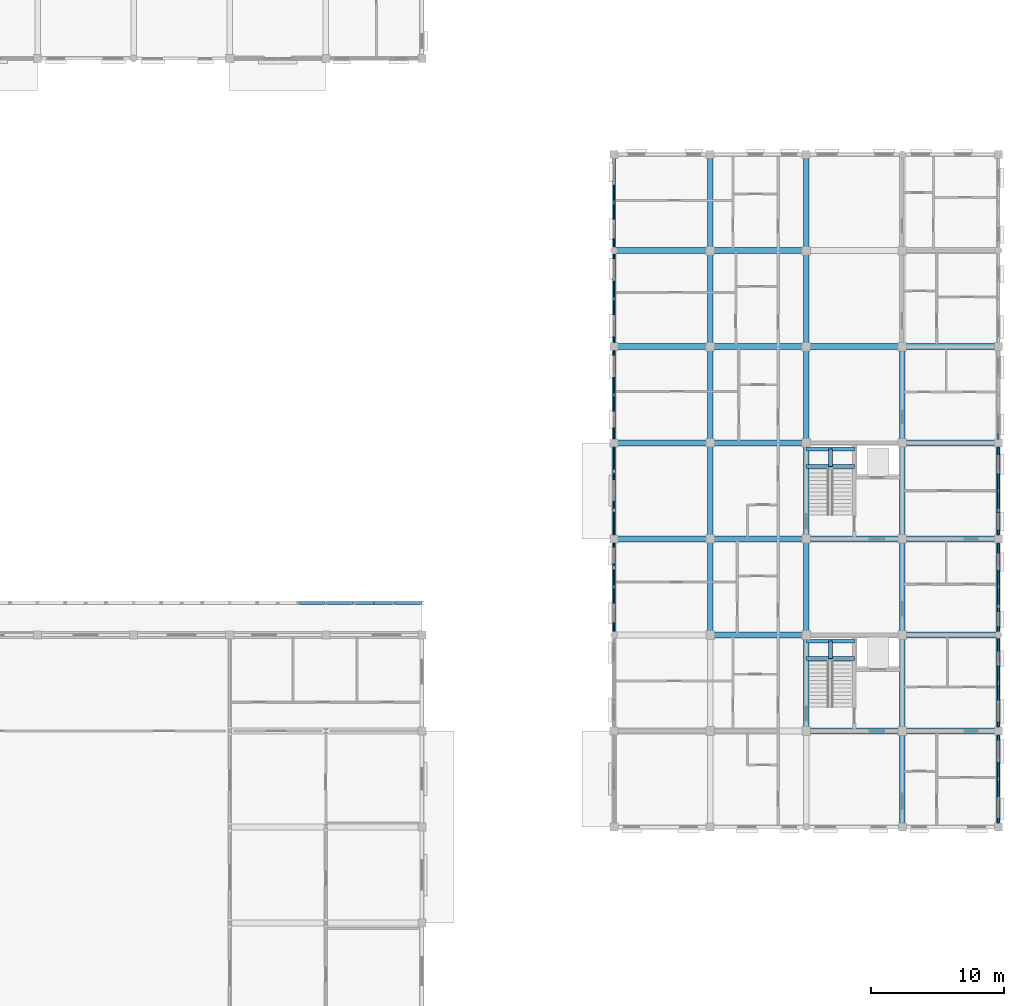
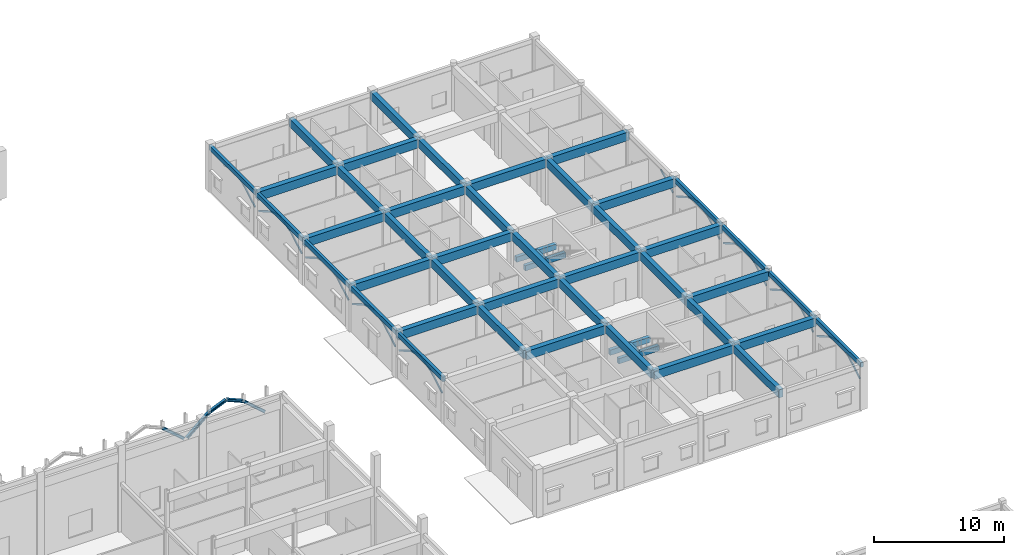
# One storey, part 27 of 138: 48 beams, 41 members.
"""IFC4 building model written with IfcOpenShell, lengths in metres."""

from ifc_helpers import new_model, si_unit, direction, frame, origin, origin_2d, place, context, subcontext, project, spatial, rectangle, hollow_rectangle, i_section, extrude, material, material_profile, profile_set, type_object, element, save


model = new_model("IFC4")

# Units and contexts
model_context = context("Model", 3, precision=1e-05, world=origin(), true_north=direction((0.0, 1.0)))
body_context = subcontext(model_context, "Body", "Model", "MODEL_VIEW")
ifc_project = project(units=[si_unit("LENGTHUNIT", "METRE"), si_unit("AREAUNIT", "SQUARE_METRE"), si_unit("VOLUMEUNIT", "CUBIC_METRE"), si_unit("PLANEANGLEUNIT", "RADIAN"), si_unit("MASSUNIT", "GRAM", prefix="KILO"), si_unit("THERMODYNAMICTEMPERATUREUNIT", "KELVIN"), si_unit("POWERUNIT", "WATT")], contexts=[model_context])

# Site, building, storey
site_placement = place(None, origin())
site = spatial("IfcSite", under=ifc_project, at=site_placement, CompositionType="ELEMENT")
building_placement = place(site_placement, origin())
building = spatial("IfcBuilding", under=site, at=building_placement, Name="Tavuni Mirador Residences", CompositionType="ELEMENT")
storey_placement = place(building_placement, origin())
storey = spatial("IfcBuildingStorey", under=building, at=storey_placement, Name="L00", CompositionType="ELEMENT", Elevation=0.0)

# Beams
ifc_material_1 = material(Name="Precast concrete C40/50", Category="concrete")
ifc_material_profile_1 = material_profile(ifc_material_1, rectangle(XDim=0.300048828125, YDim=0.5, at=origin_2d()), Name="PC 300x500", Category="concrete")
ifc_profile_set_1 = profile_set([ifc_material_profile_1], Name="Precast concrete C40/50")
beam_type_1 = type_object("IfcBeamType", Name="BT-B500", PredefinedType="BEAM", material=ifc_profile_set_1)
for number, where, z_axis, x_axis, name in (
    (1, (104.39990234375, 99.02001953125, 1.820068359375), (1.0, 0.0, 0.0), (0.0, 1.0, 0.0), "HLB1-C7-L00"),
    (2, (104.39990234375, 100.35009765625, 1.820068359375), (1.0, 0.0, 0.0), (0.0, 1.0, 0.0), "HLB2-C7-L00"),
):
    element("IfcBeam", number, at=place(storey_placement, frame(where, z_axis=z_axis, x_axis=x_axis)), inside=storey, type_object=beam_type_1, Name=name, PredefinedType="BEAM", context=body_context, shape_type="SweptSolid", body=[
        extrude(rectangle(XDim=0.300048828125, YDim=0.5, at=origin_2d()), origin(), (0.0, 0.0, 1.0), 3.60009765625),
    ])
beam_1_placement = place(storey_placement, frame((106.199951171875, 99.02001953125, 1.820068359375), z_axis=(0.0, 1.0, 0.0), x_axis=(-1.0, 0.0, 0.0)))
element("IfcBeam", 3, at=beam_1_placement, inside=storey, type_object=beam_type_1, Name="HLB3-C7-L00", PredefinedType="BEAM", context=body_context, shape_type="SweptSolid", body=[
    extrude(rectangle(XDim=0.300048828125, YDim=0.5, at=origin_2d()), origin(), (0.0, 0.0, 1.0), 1.330078125),
])
for number, where, z_axis, x_axis, name in (
    (4, (104.39990234375, 113.419921875, 1.820068359375), (1.0, 0.0, 0.0), (0.0, 1.0, 0.0), "HLB1-C8-L00"),
    (5, (104.39990234375, 114.75, 1.820068359375), (1.0, 0.0, 0.0), (0.0, 1.0, 0.0), "HLB2-C8-L00"),
):
    element("IfcBeam", number, at=place(storey_placement, frame(where, z_axis=z_axis, x_axis=x_axis)), inside=storey, type_object=beam_type_1, Name=name, PredefinedType="BEAM", context=body_context, shape_type="SweptSolid", body=[
        extrude(rectangle(XDim=0.300048828125, YDim=0.5, at=origin_2d()), origin(), (0.0, 0.0, 1.0), 3.60009765625),
    ])
beam_2_placement = place(storey_placement, frame((106.199951171875, 113.419921875, 1.820068359375), z_axis=(0.0, 1.0, 0.0), x_axis=(-1.0, 0.0, 0.0)))
element("IfcBeam", 6, at=beam_2_placement, inside=storey, type_object=beam_type_1, Name="HLB3-C8-L00", PredefinedType="BEAM", context=body_context, shape_type="SweptSolid", body=[
    extrude(rectangle(XDim=0.300048828125, YDim=0.5, at=origin_2d()), origin(), (0.0, 0.0, 1.0), 1.330078125),
])
ifc_material_profile_2 = material_profile(ifc_material_1, rectangle(XDim=0.39990234375, YDim=0.75, at=origin_2d()), Name="RC 400x750", Category="concrete")
ifc_profile_set_2 = profile_set([ifc_material_profile_2], Name="Precast concrete C40/50")
beam_type_2 = type_object("IfcBeamType", Name="BT-G750", PredefinedType="USERDEFINED", material=ifc_profile_set_2)
for number, where, z_axis, x_axis, name in (
    (7, (97.199951171875, 100.800048828125, 3.864990234375), (0.0, 1.0, 0.0), (-1.0, 0.0, 0.0), "BMY-BLK-D-L00-01-02"),
    (8, (97.199951171875, 108.0, 3.864990234375), (0.0, 1.0, 0.0), (-1.0, 0.0, 0.0), "BMY-BLK-D-L00-01-03"),
    (9, (97.199951171875, 115.199951171875, 3.864990234375), (0.0, 1.0, 0.0), (-1.0, 0.0, 0.0), "BMY-BLK-D-L00-01-04"),
):
    element("IfcBeam", number, at=place(storey_placement, frame(where, z_axis=z_axis, x_axis=x_axis)), inside=storey, type_object=beam_type_2, Name=name, ObjectType="GIRDER", PredefinedType="USERDEFINED", context=body_context, shape_type="SweptSolid", body=[
        extrude(rectangle(XDim=0.39990234375, YDim=0.75, at=origin_2d()), origin(), (0.0, 0.0, 1.0), 7.199951171875),
    ])
beam_3_placement = place(storey_placement, frame((97.199951171875, 122.39990234375, 3.864990234375), z_axis=(0.0, 1.0, 0.0), x_axis=(-1.0, 0.0, 0.0)))
element("IfcBeam", 10, at=beam_3_placement, inside=storey, type_object=beam_type_2, Name="BMY-BLK-D-L00-01-05", ObjectType="GIRDER", PredefinedType="USERDEFINED", context=body_context, shape_type="SweptSolid", body=[
    extrude(rectangle(XDim=0.39990234375, YDim=0.75, at=origin_2d()), origin(), (0.0, 0.0, 1.0), 7.2001953125),
])
for number, where, z_axis, x_axis, name in (
    (11, (97.199951171875, 129.60009765625, 3.864990234375), (0.0, 1.0, 0.0), (-1.0, 0.0, 0.0), "BMY-BLK-D-L00-01-06"),
    (12, (104.39990234375, 93.60009765625, 3.864990234375), (0.0, 1.0, 0.0), (-1.0, 0.0, 0.0), "BMY-BLK-D-L00-02-01"),
    (13, (104.39990234375, 100.800048828125, 3.864990234375), (0.0, 1.0, 0.0), (-1.0, 0.0, 0.0), "BMY-BLK-D-L00-02-02"),
    (14, (104.39990234375, 108.0, 3.864990234375), (0.0, 1.0, 0.0), (-1.0, 0.0, 0.0), "BMY-BLK-D-L00-02-03"),
    (15, (104.39990234375, 115.199951171875, 3.864990234375), (0.0, 1.0, 0.0), (-1.0, 0.0, 0.0), "BMY-BLK-D-L00-02-04"),
):
    element("IfcBeam", number, at=place(storey_placement, frame(where, z_axis=z_axis, x_axis=x_axis)), inside=storey, type_object=beam_type_2, Name=name, ObjectType="GIRDER", PredefinedType="USERDEFINED", context=body_context, shape_type="SweptSolid", body=[
        extrude(rectangle(XDim=0.39990234375, YDim=0.75, at=origin_2d()), origin(), (0.0, 0.0, 1.0), 7.199951171875),
    ])
beam_4_placement = place(storey_placement, frame((104.39990234375, 122.39990234375, 3.864990234375), z_axis=(0.0, 1.0, 0.0), x_axis=(-1.0, 0.0, 0.0)))
element("IfcBeam", 16, at=beam_4_placement, inside=storey, type_object=beam_type_2, Name="BMY-BLK-D-L00-02-05", ObjectType="GIRDER", PredefinedType="USERDEFINED", context=body_context, shape_type="SweptSolid", body=[
    extrude(rectangle(XDim=0.39990234375, YDim=0.75, at=origin_2d()), origin(), (0.0, 0.0, 1.0), 7.2001953125),
])
beam_5_placement = place(storey_placement, frame((104.39990234375, 129.60009765625, 3.864990234375), z_axis=(0.0, 1.0, 0.0), x_axis=(-1.0, 0.0, 0.0)))
element("IfcBeam", 17, at=beam_5_placement, inside=storey, type_object=beam_type_2, Name="BMY-BLK-D-L00-02-06", ObjectType="GIRDER", PredefinedType="USERDEFINED", context=body_context, shape_type="SweptSolid", body=[
    extrude(rectangle(XDim=0.39990234375, YDim=0.75, at=origin_2d()), origin(), (0.0, 0.0, 1.0), 7.199951171875),
])
beam_6_placement = place(storey_placement, frame((111.60009765625, 86.39990234375, 3.864990234375), z_axis=(0.0, 1.0, 0.0), x_axis=(-1.0, 0.0, 0.0)))
element("IfcBeam", 18, at=beam_6_placement, inside=storey, type_object=beam_type_2, Name="BMY-BLK-D-L00-03-00", ObjectType="GIRDER", PredefinedType="USERDEFINED", context=body_context, shape_type="SweptSolid", body=[
    extrude(rectangle(XDim=0.39990234375, YDim=0.75, at=origin_2d()), origin(), (0.0, 0.0, 1.0), 7.2001953125),
])
for number, where, z_axis, x_axis, name in (
    (19, (111.60009765625, 93.60009765625, 3.864990234375), (0.0, 1.0, 0.0), (-1.0, 0.0, 0.0), "BMY-BLK-D-L00-03-01"),
    (20, (111.60009765625, 100.800048828125, 3.864990234375), (0.0, 1.0, 0.0), (-1.0, 0.0, 0.0), "BMY-BLK-D-L00-03-02"),
    (21, (111.60009765625, 108.0, 3.864990234375), (0.0, 1.0, 0.0), (-1.0, 0.0, 0.0), "BMY-BLK-D-L00-03-03"),
    (22, (111.60009765625, 115.199951171875, 3.864990234375), (0.0, 1.0, 0.0), (-1.0, 0.0, 0.0), "BMY-BLK-D-L00-03-04"),
):
    element("IfcBeam", number, at=place(storey_placement, frame(where, z_axis=z_axis, x_axis=x_axis)), inside=storey, type_object=beam_type_2, Name=name, ObjectType="GIRDER", PredefinedType="USERDEFINED", context=body_context, shape_type="SweptSolid", body=[
        extrude(rectangle(XDim=0.39990234375, YDim=0.75, at=origin_2d()), origin(), (0.0, 0.0, 1.0), 7.199951171875),
    ])
ifc_material_profile_3 = material_profile(ifc_material_1, rectangle(XDim=0.449951171875, YDim=0.800048828125, at=origin_2d()), Name="RC 450x800", Category="concrete")
ifc_profile_set_3 = profile_set([ifc_material_profile_3], Name="Precast concrete C40/50")
beam_type_3 = type_object("IfcBeamType", Name="BT-G800", PredefinedType="USERDEFINED", material=ifc_profile_set_3)
beam_7_placement = place(storey_placement, frame((104.39990234375, 93.60009765625, 3.840087890625), z_axis=(1.0, 0.0, 0.0), x_axis=(0.0, 1.0, 0.0)))
element("IfcBeam", 23, at=beam_7_placement, inside=storey, type_object=beam_type_3, Name="BMX-BLK-D-L00-02-01", ObjectType="GIRDER", PredefinedType="USERDEFINED", context=body_context, shape_type="SweptSolid", body=[
    extrude(rectangle(XDim=0.449951171875, YDim=0.800048828125, at=origin_2d()), origin(), (0.0, 0.0, 1.0), 7.2001953125),
])
for number, where, z_axis, x_axis, name in (
    (24, (111.60009765625, 93.60009765625, 3.840087890625), (1.0, 0.0, 0.0), (0.0, 1.0, 0.0), "BMX-BLK-D-L00-03-01"),
    (25, (97.199951171875, 100.800048828125, 3.840087890625), (1.0, 0.0, 0.0), (0.0, 1.0, 0.0), "BMX-BLK-D-L00-01-02"),
    (26, (111.60009765625, 100.800048828125, 3.840087890625), (1.0, 0.0, 0.0), (0.0, 1.0, 0.0), "BMX-BLK-D-L00-03-02"),
    (27, (90.0, 108.0, 3.840087890625), (1.0, 0.0, 0.0), (0.0, 1.0, 0.0), "BMX-BLK-D-L00-00-03"),
    (28, (97.199951171875, 108.0, 3.840087890625), (1.0, 0.0, 0.0), (0.0, 1.0, 0.0), "BMX-BLK-D-L00-01-03"),
):
    element("IfcBeam", number, at=place(storey_placement, frame(where, z_axis=z_axis, x_axis=x_axis)), inside=storey, type_object=beam_type_3, Name=name, ObjectType="GIRDER", PredefinedType="USERDEFINED", context=body_context, shape_type="SweptSolid", body=[
        extrude(rectangle(XDim=0.449951171875, YDim=0.800048828125, at=origin_2d()), origin(), (0.0, 0.0, 1.0), 7.199951171875),
    ])
beam_8_placement = place(storey_placement, frame((104.39990234375, 108.0, 3.840087890625), z_axis=(1.0, 0.0, 0.0), x_axis=(0.0, 1.0, 0.0)))
element("IfcBeam", 29, at=beam_8_placement, inside=storey, type_object=beam_type_3, Name="BMX-BLK-D-L00-02-03", ObjectType="GIRDER", PredefinedType="USERDEFINED", context=body_context, shape_type="SweptSolid", body=[
    extrude(rectangle(XDim=0.449951171875, YDim=0.800048828125, at=origin_2d()), origin(), (0.0, 0.0, 1.0), 7.2001953125),
])
for number, where, z_axis, x_axis, name in (
    (30, (111.60009765625, 108.0, 3.840087890625), (1.0, 0.0, 0.0), (0.0, 1.0, 0.0), "BMX-BLK-D-L00-03-03"),
    (31, (90.0, 115.199951171875, 3.840087890625), (1.0, 0.0, 0.0), (0.0, 1.0, 0.0), "BMX-BLK-D-L00-00-04"),
    (32, (97.199951171875, 115.199951171875, 3.840087890625), (1.0, 0.0, 0.0), (0.0, 1.0, 0.0), "BMX-BLK-D-L00-01-04"),
    (33, (111.60009765625, 115.199951171875, 3.840087890625), (1.0, 0.0, 0.0), (0.0, 1.0, 0.0), "BMX-BLK-D-L00-03-04"),
    (34, (90.0, 122.39990234375, 3.840087890625), (1.0, 0.0, 0.0), (0.0, 1.0, 0.0), "BMX-BLK-D-L00-00-05"),
    (35, (97.199951171875, 122.39990234375, 3.840087890625), (1.0, 0.0, 0.0), (0.0, 1.0, 0.0), "BMX-BLK-D-L00-01-05"),
):
    element("IfcBeam", number, at=place(storey_placement, frame(where, z_axis=z_axis, x_axis=x_axis)), inside=storey, type_object=beam_type_3, Name=name, ObjectType="GIRDER", PredefinedType="USERDEFINED", context=body_context, shape_type="SweptSolid", body=[
        extrude(rectangle(XDim=0.449951171875, YDim=0.800048828125, at=origin_2d()), origin(), (0.0, 0.0, 1.0), 7.199951171875),
    ])
beam_9_placement = place(storey_placement, frame((104.39990234375, 122.39990234375, 3.840087890625), z_axis=(1.0, 0.0, 0.0), x_axis=(0.0, 1.0, 0.0)))
element("IfcBeam", 36, at=beam_9_placement, inside=storey, type_object=beam_type_3, Name="BMX-BLK-D-L00-02-05", ObjectType="GIRDER", PredefinedType="USERDEFINED", context=body_context, shape_type="SweptSolid", body=[
    extrude(rectangle(XDim=0.449951171875, YDim=0.800048828125, at=origin_2d()), origin(), (0.0, 0.0, 1.0), 7.2001953125),
])
for number, where, z_axis, x_axis, name in (
    (37, (111.60009765625, 122.39990234375, 3.840087890625), (1.0, 0.0, 0.0), (0.0, 1.0, 0.0), "BMX-BLK-D-L00-03-05"),
    (38, (90.0, 129.60009765625, 3.840087890625), (1.0, 0.0, 0.0), (0.0, 1.0, 0.0), "BMX-BLK-D-L00-00-06"),
    (39, (97.199951171875, 129.60009765625, 3.840087890625), (1.0, 0.0, 0.0), (0.0, 1.0, 0.0), "BMX-BLK-D-L00-01-06"),
):
    element("IfcBeam", number, at=place(storey_placement, frame(where, z_axis=z_axis, x_axis=x_axis)), inside=storey, type_object=beam_type_3, Name=name, ObjectType="GIRDER", PredefinedType="USERDEFINED", context=body_context, shape_type="SweptSolid", body=[
        extrude(rectangle(XDim=0.449951171875, YDim=0.800048828125, at=origin_2d()), origin(), (0.0, 0.0, 1.0), 7.199951171875),
    ])
ifc_material_profile_4 = material_profile(ifc_material_1, rectangle(XDim=0.25, YDim=0.419921875, at=origin_2d()), Name="PC 250x420", Category="concrete")
ifc_profile_set_4 = profile_set([ifc_material_profile_4], Name="Precast concrete C40/50")
beam_type_4 = type_object("IfcBeamType", Name="BT-SP420", PredefinedType="SPANDREL", material=ifc_profile_set_4)
for number, where, z_axis, x_axis, name in (
    (40, (90.0, 100.800048828125, 4.030029296875), (0.0, 1.0, 0.0), (-1.0, 0.0, 0.0), "BMY-BLK-D-L00-00-02"),
    (41, (90.0, 108.0, 4.030029296875), (0.0, 1.0, 0.0), (-1.0, 0.0, 0.0), "BMY-BLK-D-L00-00-03"),
    (42, (90.0, 115.199951171875, 4.030029296875), (0.0, 1.0, 0.0), (-1.0, 0.0, 0.0), "BMY-BLK-D-L00-00-04"),
):
    element("IfcBeam", number, at=place(storey_placement, frame(where, z_axis=z_axis, x_axis=x_axis)), inside=storey, type_object=beam_type_4, Name=name, PredefinedType="SPANDREL", context=body_context, shape_type="SweptSolid", body=[
        extrude(rectangle(XDim=0.25, YDim=0.419921875, at=origin_2d()), origin(), (0.0, 0.0, 1.0), 7.199951171875),
    ])
beam_10_placement = place(storey_placement, frame((90.0, 122.39990234375, 4.030029296875), z_axis=(0.0, 1.0, 0.0), x_axis=(-1.0, 0.0, 0.0)))
element("IfcBeam", 43, at=beam_10_placement, inside=storey, type_object=beam_type_4, Name="BMY-BLK-D-L00-00-05", PredefinedType="SPANDREL", context=body_context, shape_type="SweptSolid", body=[
    extrude(rectangle(XDim=0.25, YDim=0.419921875, at=origin_2d()), origin(), (0.0, 0.0, 1.0), 7.2001953125),
])
beam_11_placement = place(storey_placement, frame((90.0, 129.60009765625, 4.030029296875), z_axis=(0.0, 1.0, 0.0), x_axis=(-1.0, 0.0, 0.0)))
element("IfcBeam", 44, at=beam_11_placement, inside=storey, type_object=beam_type_4, Name="BMY-BLK-D-L00-00-06", PredefinedType="SPANDREL", context=body_context, shape_type="SweptSolid", body=[
    extrude(rectangle(XDim=0.25, YDim=0.419921875, at=origin_2d()), origin(), (0.0, 0.0, 1.0), 7.199951171875),
])
beam_12_placement = place(storey_placement, frame((118.800048828125, 86.39990234375, 4.030029296875), z_axis=(0.0, 1.0, 0.0), x_axis=(-1.0, 0.0, 0.0)))
element("IfcBeam", 45, at=beam_12_placement, inside=storey, type_object=beam_type_4, Name="BMY-BLK-D-L00-04-00", PredefinedType="SPANDREL", context=body_context, shape_type="SweptSolid", body=[
    extrude(rectangle(XDim=0.25, YDim=0.419921875, at=origin_2d()), origin(), (0.0, 0.0, 1.0), 7.2001953125),
])
for number, where, z_axis, x_axis, name in (
    (46, (118.800048828125, 93.60009765625, 4.030029296875), (0.0, 1.0, 0.0), (-1.0, 0.0, 0.0), "BMY-BLK-D-L00-04-01"),
    (47, (118.800048828125, 100.800048828125, 4.030029296875), (0.0, 1.0, 0.0), (-1.0, 0.0, 0.0), "BMY-BLK-D-L00-04-02"),
    (48, (118.800048828125, 108.0, 4.030029296875), (0.0, 1.0, 0.0), (-1.0, 0.0, 0.0), "BMY-BLK-D-L00-04-03"),
):
    element("IfcBeam", number, at=place(storey_placement, frame(where, z_axis=z_axis, x_axis=x_axis)), inside=storey, type_object=beam_type_4, Name=name, PredefinedType="SPANDREL", context=body_context, shape_type="SweptSolid", body=[
        extrude(rectangle(XDim=0.25, YDim=0.419921875, at=origin_2d()), origin(), (0.0, 0.0, 1.0), 7.199951171875),
    ])

# Members
ifc_material_2 = material(Name="Structural steel S355", Category="steel")
ifc_material_profile_5 = material_profile(ifc_material_2, hollow_rectangle(XDim=0.10009765625, YDim=0.14990234375, WallThickness=0.008056640625, at=origin_2d()), Name="RHS 150x100x8.0", Category="steel")
ifc_profile_set_5 = profile_set([ifc_material_profile_5], Name="Structural steel S355")
member_type_1 = type_object("IfcMemberType", Name="MT-BR-RHS150", PredefinedType="BRACE", material=ifc_profile_set_5)
member_1_placement = place(storey_placement, frame((118.800048828125, 86.699951171875, 2.550048828125), z_axis=(0.0, 0.866349395397, 0.499438409711), x_axis=(-1.0, 0.0, 0.0)))
element("IfcMember", 49, at=member_1_placement, inside=storey, type_object=member_type_1, Name="ARCH-BLKD-E-00-H1", PredefinedType="BRACE", context=body_context, shape_type="SweptSolid", body=[
    extrude(hollow_rectangle(XDim=0.10009765625, YDim=0.14990234375, WallThickness=0.008056640625, at=origin_2d()), origin(), (0.0, 0.0, 1.0), 2.13330078125),
])
for number, where, z_axis, x_axis, name in (
    (50, (118.800048828125, 88.548095703125, 3.615478515625), (0.0, 0.961572744656, 0.274550280886), (-1.0, 0.0, 0.0), "ARCH-BLKD-E-00-S1"),
    (51, (118.800048828125, 90.0, 4.030029296875), (0.0, 0.961572744656, -0.274550280886), (-1.0, 0.0, 0.0), "ARCH-BLKD-E-00-S2"),
):
    element("IfcMember", number, at=place(storey_placement, frame(where, z_axis=z_axis, x_axis=x_axis)), inside=storey, type_object=member_type_1, Name=name, PredefinedType="BRACE", context=body_context, shape_type="SweptSolid", body=[
        extrude(hollow_rectangle(XDim=0.10009765625, YDim=0.14990234375, WallThickness=0.008056640625, at=origin_2d()), origin(), (0.0, 0.0, 1.0), 1.510009765625),
    ])
for number, where, z_axis, x_axis, name in (
    (52, (118.800048828125, 91.451904296875, 3.615478515625), (0.0, 0.866349395397, -0.499438409711), (-1.0, 0.0, 0.0), "ARCH-BLKD-E-00-H2"),
    (53, (118.800048828125, 93.89990234375, 2.550048828125), (0.0, 0.866349395397, 0.499438409711), (-1.0, 0.0, 0.0), "ARCH-BLKD-E-01-H1"),
):
    element("IfcMember", number, at=place(storey_placement, frame(where, z_axis=z_axis, x_axis=x_axis)), inside=storey, type_object=member_type_1, Name=name, PredefinedType="BRACE", context=body_context, shape_type="SweptSolid", body=[
        extrude(hollow_rectangle(XDim=0.10009765625, YDim=0.14990234375, WallThickness=0.008056640625, at=origin_2d()), origin(), (0.0, 0.0, 1.0), 2.13330078125),
    ])
member_2_placement = place(storey_placement, frame((118.800048828125, 95.748046875, 3.615478515625), z_axis=(0.0, 0.961572744656, 0.274550280886), x_axis=(-1.0, 0.0, 0.0)))
element("IfcMember", 54, at=member_2_placement, inside=storey, type_object=member_type_1, Name="ARCH-BLKD-E-01-S1", PredefinedType="BRACE", context=body_context, shape_type="SweptSolid", body=[
    extrude(hollow_rectangle(XDim=0.10009765625, YDim=0.14990234375, WallThickness=0.008056640625, at=origin_2d()), origin(), (0.0, 0.0, 1.0), 1.510009765625),
])
member_3_placement = place(storey_placement, frame((118.800048828125, 97.199951171875, 4.030029296875), z_axis=(0.0, 0.961584929689, -0.274507600977), x_axis=(-1.0, 0.0, 0.0)))
element("IfcMember", 55, at=member_3_placement, inside=storey, type_object=member_type_1, Name="ARCH-BLKD-E-01-S2", PredefinedType="BRACE", context=body_context, shape_type="SweptSolid", body=[
    extrude(hollow_rectangle(XDim=0.10009765625, YDim=0.14990234375, WallThickness=0.008056640625, at=origin_2d()), origin(), (0.0, 0.0, 1.0), 1.51025390625),
])
for number, where, z_axis, x_axis, name in (
    (56, (118.800048828125, 98.652099609375, 3.615478515625), (0.0, 0.866320844112, -0.499487932845), (-1.0, 0.0, 0.0), "ARCH-BLKD-E-01-H2"),
    (57, (118.800048828125, 101.10009765625, 2.550048828125), (0.0, 0.866320844112, 0.499487932845), (-1.0, 0.0, 0.0), "ARCH-BLKD-E-02-H1"),
):
    element("IfcMember", number, at=place(storey_placement, frame(where, z_axis=z_axis, x_axis=x_axis)), inside=storey, type_object=member_type_1, Name=name, PredefinedType="BRACE", context=body_context, shape_type="SweptSolid", body=[
        extrude(hollow_rectangle(XDim=0.10009765625, YDim=0.14990234375, WallThickness=0.008056640625, at=origin_2d()), origin(), (0.0, 0.0, 1.0), 2.133056640625),
    ])
member_4_placement = place(storey_placement, frame((118.800048828125, 102.947998046875, 3.615478515625), z_axis=(0.0, 0.961572744656, 0.274550280886), x_axis=(-1.0, 0.0, 0.0)))
element("IfcMember", 58, at=member_4_placement, inside=storey, type_object=member_type_1, Name="ARCH-BLKD-E-02-S1", PredefinedType="BRACE", context=body_context, shape_type="SweptSolid", body=[
    extrude(hollow_rectangle(XDim=0.10009765625, YDim=0.14990234375, WallThickness=0.008056640625, at=origin_2d()), origin(), (0.0, 0.0, 1.0), 1.510009765625),
])
member_5_placement = place(storey_placement, frame((118.800048828125, 104.39990234375, 4.030029296875), z_axis=(0.0, 0.961584929689, -0.274507600977), x_axis=(-1.0, 0.0, 0.0)))
element("IfcMember", 59, at=member_5_placement, inside=storey, type_object=member_type_1, Name="ARCH-BLKD-E-02-S2", PredefinedType="BRACE", context=body_context, shape_type="SweptSolid", body=[
    extrude(hollow_rectangle(XDim=0.10009765625, YDim=0.14990234375, WallThickness=0.008056640625, at=origin_2d()), origin(), (0.0, 0.0, 1.0), 1.51025390625),
])
for number, where, z_axis, x_axis, name in (
    (60, (118.800048828125, 105.85205078125, 3.615478515625), (0.0, 0.866320844112, -0.499487932845), (-1.0, 0.0, 0.0), "ARCH-BLKD-E-02-H2"),
    (61, (118.800048828125, 108.300048828125, 2.550048828125), (0.0, 0.866320844112, 0.499487932845), (-1.0, 0.0, 0.0), "ARCH-BLKD-E-03-H1"),
):
    element("IfcMember", number, at=place(storey_placement, frame(where, z_axis=z_axis, x_axis=x_axis)), inside=storey, type_object=member_type_1, Name=name, PredefinedType="BRACE", context=body_context, shape_type="SweptSolid", body=[
        extrude(hollow_rectangle(XDim=0.10009765625, YDim=0.14990234375, WallThickness=0.008056640625, at=origin_2d()), origin(), (0.0, 0.0, 1.0), 2.133056640625),
    ])
member_6_placement = place(storey_placement, frame((118.800048828125, 110.14794921875, 3.615478515625), z_axis=(0.0, 0.961584929689, 0.274507600977), x_axis=(-1.0, 0.0, 0.0)))
element("IfcMember", 62, at=member_6_placement, inside=storey, type_object=member_type_1, Name="ARCH-BLKD-E-03-S1", PredefinedType="BRACE", context=body_context, shape_type="SweptSolid", body=[
    extrude(hollow_rectangle(XDim=0.10009765625, YDim=0.14990234375, WallThickness=0.008056640625, at=origin_2d()), origin(), (0.0, 0.0, 1.0), 1.51025390625),
])
member_7_placement = place(storey_placement, frame((118.800048828125, 111.60009765625, 4.030029296875), z_axis=(0.0, 0.961572744656, -0.274550280886), x_axis=(-1.0, 0.0, 0.0)))
element("IfcMember", 63, at=member_7_placement, inside=storey, type_object=member_type_1, Name="ARCH-BLKD-E-03-S2", PredefinedType="BRACE", context=body_context, shape_type="SweptSolid", body=[
    extrude(hollow_rectangle(XDim=0.10009765625, YDim=0.14990234375, WallThickness=0.008056640625, at=origin_2d()), origin(), (0.0, 0.0, 1.0), 1.510009765625),
])
for number, where, z_axis, x_axis, name in (
    (64, (118.800048828125, 113.052001953125, 3.615478515625), (0.0, 0.866320844112, -0.499487932845), (-1.0, 0.0, 0.0), "ARCH-BLKD-E-03-H2"),
    (65, (118.800048828125, 115.5, 2.550048828125), (0.0, 0.866320844112, 0.499487932845), (-1.0, 0.0, 0.0), "ARCH-BLKD-E-04-H1"),
    (66, (90.0, 101.10009765625, 2.550048828125), (0.0, 0.866320844112, 0.499487932845), (-1.0, 0.0, 0.0), "ARCH-BLKD-W-02-H1"),
):
    element("IfcMember", number, at=place(storey_placement, frame(where, z_axis=z_axis, x_axis=x_axis)), inside=storey, type_object=member_type_1, Name=name, PredefinedType="BRACE", context=body_context, shape_type="SweptSolid", body=[
        extrude(hollow_rectangle(XDim=0.10009765625, YDim=0.14990234375, WallThickness=0.008056640625, at=origin_2d()), origin(), (0.0, 0.0, 1.0), 2.133056640625),
    ])
member_8_placement = place(storey_placement, frame((90.0, 102.947998046875, 3.615478515625), z_axis=(0.0, 0.961572744656, 0.274550280886), x_axis=(-1.0, 0.0, 0.0)))
element("IfcMember", 67, at=member_8_placement, inside=storey, type_object=member_type_1, Name="ARCH-BLKD-W-02-S1", PredefinedType="BRACE", context=body_context, shape_type="SweptSolid", body=[
    extrude(hollow_rectangle(XDim=0.10009765625, YDim=0.14990234375, WallThickness=0.008056640625, at=origin_2d()), origin(), (0.0, 0.0, 1.0), 1.510009765625),
])
member_9_placement = place(storey_placement, frame((90.0, 104.39990234375, 4.030029296875), z_axis=(0.0, 0.961584929689, -0.274507600977), x_axis=(-1.0, 0.0, 0.0)))
element("IfcMember", 68, at=member_9_placement, inside=storey, type_object=member_type_1, Name="ARCH-BLKD-W-02-S2", PredefinedType="BRACE", context=body_context, shape_type="SweptSolid", body=[
    extrude(hollow_rectangle(XDim=0.10009765625, YDim=0.14990234375, WallThickness=0.008056640625, at=origin_2d()), origin(), (0.0, 0.0, 1.0), 1.51025390625),
])
for number, where, z_axis, x_axis, name in (
    (69, (90.0, 105.85205078125, 3.615478515625), (0.0, 0.866320844112, -0.499487932845), (-1.0, 0.0, 0.0), "ARCH-BLKD-W-02-H2"),
    (70, (90.0, 108.300048828125, 2.550048828125), (0.0, 0.866320844112, 0.499487932845), (-1.0, 0.0, 0.0), "ARCH-BLKD-W-03-H1"),
):
    element("IfcMember", number, at=place(storey_placement, frame(where, z_axis=z_axis, x_axis=x_axis)), inside=storey, type_object=member_type_1, Name=name, PredefinedType="BRACE", context=body_context, shape_type="SweptSolid", body=[
        extrude(hollow_rectangle(XDim=0.10009765625, YDim=0.14990234375, WallThickness=0.008056640625, at=origin_2d()), origin(), (0.0, 0.0, 1.0), 2.133056640625),
    ])
member_10_placement = place(storey_placement, frame((90.0, 110.14794921875, 3.615478515625), z_axis=(0.0, 0.961584929689, 0.274507600977), x_axis=(-1.0, 0.0, 0.0)))
element("IfcMember", 71, at=member_10_placement, inside=storey, type_object=member_type_1, Name="ARCH-BLKD-W-03-S1", PredefinedType="BRACE", context=body_context, shape_type="SweptSolid", body=[
    extrude(hollow_rectangle(XDim=0.10009765625, YDim=0.14990234375, WallThickness=0.008056640625, at=origin_2d()), origin(), (0.0, 0.0, 1.0), 1.51025390625),
])
member_11_placement = place(storey_placement, frame((90.0, 111.60009765625, 4.030029296875), z_axis=(0.0, 0.961572744656, -0.274550280886), x_axis=(-1.0, 0.0, 0.0)))
element("IfcMember", 72, at=member_11_placement, inside=storey, type_object=member_type_1, Name="ARCH-BLKD-W-03-S2", PredefinedType="BRACE", context=body_context, shape_type="SweptSolid", body=[
    extrude(hollow_rectangle(XDim=0.10009765625, YDim=0.14990234375, WallThickness=0.008056640625, at=origin_2d()), origin(), (0.0, 0.0, 1.0), 1.510009765625),
])
for number, where, z_axis, x_axis, name in (
    (73, (90.0, 113.052001953125, 3.615478515625), (0.0, 0.866320844112, -0.499487932845), (-1.0, 0.0, 0.0), "ARCH-BLKD-W-03-H2"),
    (74, (90.0, 115.5, 2.550048828125), (0.0, 0.866320844112, 0.499487932845), (-1.0, 0.0, 0.0), "ARCH-BLKD-W-04-H1"),
):
    element("IfcMember", number, at=place(storey_placement, frame(where, z_axis=z_axis, x_axis=x_axis)), inside=storey, type_object=member_type_1, Name=name, PredefinedType="BRACE", context=body_context, shape_type="SweptSolid", body=[
        extrude(hollow_rectangle(XDim=0.10009765625, YDim=0.14990234375, WallThickness=0.008056640625, at=origin_2d()), origin(), (0.0, 0.0, 1.0), 2.133056640625),
    ])
member_12_placement = place(storey_placement, frame((90.0, 117.347900390625, 3.615478515625), z_axis=(0.0, 0.961584929689, 0.274507600977), x_axis=(-1.0, 0.0, 0.0)))
element("IfcMember", 75, at=member_12_placement, inside=storey, type_object=member_type_1, Name="ARCH-BLKD-W-04-S1", PredefinedType="BRACE", context=body_context, shape_type="SweptSolid", body=[
    extrude(hollow_rectangle(XDim=0.10009765625, YDim=0.14990234375, WallThickness=0.008056640625, at=origin_2d()), origin(), (0.0, 0.0, 1.0), 1.51025390625),
])
member_13_placement = place(storey_placement, frame((90.0, 118.800048828125, 4.030029296875), z_axis=(0.0, 0.961572744656, -0.274550280886), x_axis=(-1.0, 0.0, 0.0)))
element("IfcMember", 76, at=member_13_placement, inside=storey, type_object=member_type_1, Name="ARCH-BLKD-W-04-S2", PredefinedType="BRACE", context=body_context, shape_type="SweptSolid", body=[
    extrude(hollow_rectangle(XDim=0.10009765625, YDim=0.14990234375, WallThickness=0.008056640625, at=origin_2d()), origin(), (0.0, 0.0, 1.0), 1.510009765625),
])
for number, where, z_axis, x_axis, name in (
    (77, (90.0, 120.251953125, 3.615478515625), (0.0, 0.866349395397, -0.499438409711), (-1.0, 0.0, 0.0), "ARCH-BLKD-W-04-H2"),
    (78, (90.0, 122.699951171875, 2.550048828125), (0.0, 0.866349395397, 0.499438409711), (-1.0, 0.0, 0.0), "ARCH-BLKD-W-05-H1"),
):
    element("IfcMember", number, at=place(storey_placement, frame(where, z_axis=z_axis, x_axis=x_axis)), inside=storey, type_object=member_type_1, Name=name, PredefinedType="BRACE", context=body_context, shape_type="SweptSolid", body=[
        extrude(hollow_rectangle(XDim=0.10009765625, YDim=0.14990234375, WallThickness=0.008056640625, at=origin_2d()), origin(), (0.0, 0.0, 1.0), 2.13330078125),
    ])
for number, where, z_axis, x_axis, name in (
    (79, (90.0, 124.548095703125, 3.615478515625), (0.0, 0.961572744656, 0.274550280886), (-1.0, 0.0, 0.0), "ARCH-BLKD-W-05-S1"),
    (80, (90.0, 126.0, 4.030029296875), (0.0, 0.961572744656, -0.274550280886), (-1.0, 0.0, 0.0), "ARCH-BLKD-W-05-S2"),
):
    element("IfcMember", number, at=place(storey_placement, frame(where, z_axis=z_axis, x_axis=x_axis)), inside=storey, type_object=member_type_1, Name=name, PredefinedType="BRACE", context=body_context, shape_type="SweptSolid", body=[
        extrude(hollow_rectangle(XDim=0.10009765625, YDim=0.14990234375, WallThickness=0.008056640625, at=origin_2d()), origin(), (0.0, 0.0, 1.0), 1.510009765625),
    ])
for number, where, z_axis, x_axis, name in (
    (81, (90.0, 127.451904296875, 3.615478515625), (0.0, 0.866349395397, -0.499438409711), (-1.0, 0.0, 0.0), "ARCH-BLKD-W-05-H2"),
    (82, (90.0, 129.89990234375, 2.550048828125), (0.0, 0.866349395397, 0.499438409711), (-1.0, 0.0, 0.0), "ARCH-BLKD-W-06-H1"),
):
    element("IfcMember", number, at=place(storey_placement, frame(where, z_axis=z_axis, x_axis=x_axis)), inside=storey, type_object=member_type_1, Name=name, PredefinedType="BRACE", context=body_context, shape_type="SweptSolid", body=[
        extrude(hollow_rectangle(XDim=0.10009765625, YDim=0.14990234375, WallThickness=0.008056640625, at=origin_2d()), origin(), (0.0, 0.0, 1.0), 2.13330078125),
    ])
member_14_placement = place(storey_placement, frame((90.0, 131.748046875, 3.615478515625), z_axis=(0.0, 0.961572744656, 0.274550280886), x_axis=(-1.0, 0.0, 0.0)))
element("IfcMember", 83, at=member_14_placement, inside=storey, type_object=member_type_1, Name="ARCH-BLKD-W-06-S1", PredefinedType="BRACE", context=body_context, shape_type="SweptSolid", body=[
    extrude(hollow_rectangle(XDim=0.10009765625, YDim=0.14990234375, WallThickness=0.008056640625, at=origin_2d()), origin(), (0.0, 0.0, 1.0), 1.510009765625),
])
member_15_placement = place(storey_placement, frame((90.0, 133.199951171875, 4.030029296875), z_axis=(0.0, 0.961584929689, -0.274507600977), x_axis=(-1.0, 0.0, 0.0)))
element("IfcMember", 84, at=member_15_placement, inside=storey, type_object=member_type_1, Name="ARCH-BLKD-W-06-S2", PredefinedType="BRACE", context=body_context, shape_type="SweptSolid", body=[
    extrude(hollow_rectangle(XDim=0.10009765625, YDim=0.14990234375, WallThickness=0.008056640625, at=origin_2d()), origin(), (0.0, 0.0, 1.0), 1.51025390625),
])
ifc_material_profile_6 = material_profile(ifc_material_2, i_section(OverallWidth=0.239990234375, OverallDepth=0.22998046875, WebThickness=0.007568359375, FlangeThickness=0.011962890625, FilletRadius=0.02099609375, at=origin_2d()), Name="HEA 240", Category="steel")
ifc_profile_set_6 = profile_set([ifc_material_profile_6], Name="Structural steel S355")
member_type_2 = type_object("IfcMemberType", Name="MT-CH-HEA240", PredefinedType="CHORD", material=ifc_profile_set_6)
for number, where, z_axis, x_axis, name in (
    (85, (66.331298828125, 103.199951171875, 6.301513671875), (0.753289483286, 0.0, -0.657689101606), (0.0, 1.0, 0.0), "ARCH-HALL-N-03-H2"),
    (86, (68.52001953125, 103.199951171875, 4.60009765625), (0.753289483286, 0.0, 0.657689101606), (0.0, 1.0, 0.0), "ARCH-HALL-N-04-H1"),
):
    element("IfcMember", number, at=place(storey_placement, frame(where, z_axis=z_axis, x_axis=x_axis)), inside=storey, type_object=member_type_2, Name=name, PredefinedType="CHORD", context=body_context, shape_type="SweptSolid", body=[
        extrude(i_section(OverallWidth=0.239990234375, OverallDepth=0.22998046875, WebThickness=0.007568359375, FlangeThickness=0.011962890625, FilletRadius=0.02099609375, at=origin_2d()), origin(), (0.0, 0.0, 1.0), 2.5869140625),
    ])
for number, where, z_axis, x_axis, name in (
    (87, (70.46875, 103.199951171875, 6.301513671875), (0.917921869055, 0.0, 0.39676119053), (0.0, 1.0, 0.0), "ARCH-HALL-N-04-S1"),
    (88, (72.0, 103.199951171875, 6.96337890625), (0.917921869055, 0.0, -0.39676119053), (0.0, 1.0, 0.0), "ARCH-HALL-N-04-S2"),
):
    element("IfcMember", number, at=place(storey_placement, frame(where, z_axis=z_axis, x_axis=x_axis)), inside=storey, type_object=member_type_2, Name=name, PredefinedType="CHORD", context=body_context, shape_type="SweptSolid", body=[
        extrude(i_section(OverallWidth=0.239990234375, OverallDepth=0.22998046875, WebThickness=0.007568359375, FlangeThickness=0.011962890625, FilletRadius=0.02099609375, at=origin_2d()), origin(), (0.0, 0.0, 1.0), 1.668212890625),
    ])
member_16_placement = place(storey_placement, frame((73.53125, 103.199951171875, 6.301513671875), z_axis=(0.753289483286, 0.0, -0.657689101606), x_axis=(0.0, 1.0, 0.0)))
element("IfcMember", 89, at=member_16_placement, inside=storey, type_object=member_type_2, Name="ARCH-HALL-N-04-H2", PredefinedType="CHORD", context=body_context, shape_type="SweptSolid", body=[
    extrude(i_section(OverallWidth=0.239990234375, OverallDepth=0.22998046875, WebThickness=0.007568359375, FlangeThickness=0.011962890625, FilletRadius=0.02099609375, at=origin_2d()), origin(), (0.0, 0.0, 1.0), 2.5869140625),
])

save(model, "model.ifc")
